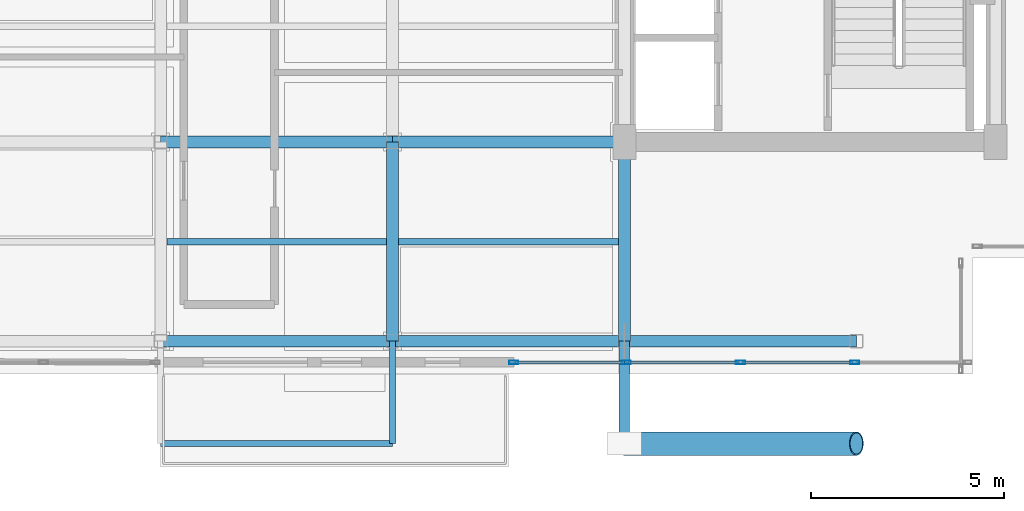
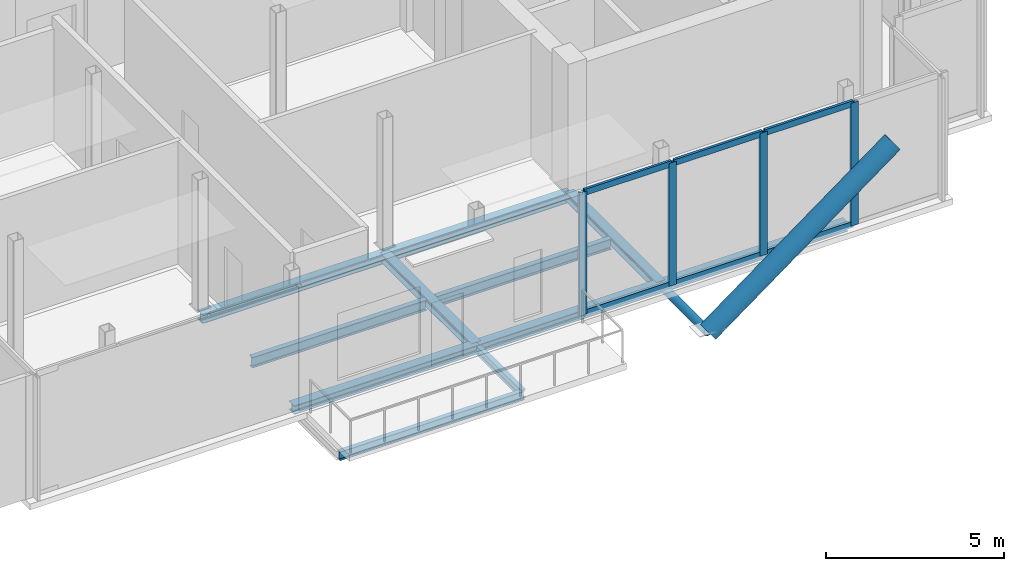
# One storey, part 3 of 16: 12 members, 11 beams, 1 element without a shape of its own.
"""IFC4 building model written with IfcOpenShell, lengths in metres."""

import ifcopenshell
import ifcopenshell.guid

model = None  # the IFC model being written
_history = None  # IfcOwnerHistory: only IFC2X3 demands one
_inside = {}  # id of a spatial element -> (the spatial element, [elements in it])
_under = {}  # id of a project, library or spatial element -> (it, [spatial elements below it])
_declared = {}  # id of a project -> (the project, [libraries it declares])
_typed = {}  # id of a type object -> (the type object, [elements of that type])
_made_of = {}  # id of a material, layer set ... -> (it, [elements and type objects made of it])


def new_model(schema):
    """Start an empty IFC model of exactly this schema.

    Asked for "IFC4X3", IfcOpenShell would pick the latest addendum, in which some entities
    have other attributes; the version numbers below select the first issue.
    IFC2X3 requires an IfcOwnerHistory on every rooted entity: one is made here for all.
    """
    global model, _history
    if schema == "IFC4X3":
        model = ifcopenshell.file(schema_version=(4, 3, 0, 0))
    else:
        model = ifcopenshell.file(schema=schema)
    _inside.clear()
    _under.clear()
    _declared.clear()
    _typed.clear()
    _made_of.clear()
    _history = None
    if model.schema == "IFC2X3":
        org = make("IfcOrganization", Name="unknown")
        user = make(
            "IfcPersonAndOrganization",
            ThePerson=make("IfcPerson", FamilyName="unknown"),
            TheOrganization=org,
        )
        app = make(
            "IfcApplication",
            ApplicationDeveloper=org,
            Version="unknown",
            ApplicationFullName="unknown",
            ApplicationIdentifier="unknown",
        )
        _history = make(
            "IfcOwnerHistory",
            OwningUser=user,
            OwningApplication=app,
            ChangeAction="ADDED",
            CreationDate=0,
        )
    return model


def make(cls, **values):
    """One entity of the class cls with the attributes given. An attribute that is None is left unset."""
    return model.create_entity(
        cls, **{name: value for name, value in values.items() if value is not None}
    )


def rooted(cls, **values):
    """An entity with a GlobalId (a new one), such as an element, a storey or a relation."""
    return make(cls, GlobalId=ifcopenshell.guid.new(), OwnerHistory=_history, **values)


def si_unit(unit_type, name, prefix=None):
    """IfcSIUnit, for example si_unit("LENGTHUNIT", "METRE", prefix="MILLI")."""
    return make("IfcSIUnit", UnitType=unit_type, Prefix=prefix, Name=name)


def assignment(units):
    """IfcUnitAssignment: the units of a project."""
    return None if units is None else make("IfcUnitAssignment", Units=units)


def point(xyz):
    """IfcCartesianPoint."""
    return None if xyz is None else make("IfcCartesianPoint", Coordinates=xyz)


def direction(xyz):
    """IfcDirection."""
    return None if xyz is None else make("IfcDirection", DirectionRatios=xyz)


def frame(location, z_axis=None, x_axis=None):
    """IfcAxis2Placement3D, a coordinate frame: its origin and axes. An axis left out is left unset."""
    return make(
        "IfcAxis2Placement3D",
        Location=point(location),
        Axis=direction(z_axis),
        RefDirection=direction(x_axis),
    )


def frame_2d(location, x_axis=None):
    """IfcAxis2Placement2D, a coordinate frame in the plane: its origin and x axis."""
    return make(
        "IfcAxis2Placement2D", Location=point(location), RefDirection=direction(x_axis)
    )


def origin():
    """The frame at (0, 0, 0) with its axes left unset."""
    return frame((0.0, 0.0, 0.0))


def origin_2d():
    """The frame at (0, 0) in the plane with its x axis left unset."""
    return frame_2d((0.0, 0.0))


def place(relative_to, where):
    """IfcLocalPlacement: puts the frame where relative to a parent placement (None: the world)."""
    return make(
        "IfcLocalPlacement", PlacementRelTo=relative_to, RelativePlacement=where
    )


def context(
    kind, dimensions, precision=None, world=None, true_north=None, identifier=None
):
    """IfcGeometricRepresentationContext, for example the 3D "Model" context."""
    return make(
        "IfcGeometricRepresentationContext",
        ContextIdentifier=identifier,
        ContextType=kind,
        CoordinateSpaceDimension=dimensions,
        Precision=precision,
        WorldCoordinateSystem=world,
        TrueNorth=true_north,
    )


def subcontext(parent, identifier, kind, view, scale=None):
    """IfcGeometricRepresentationSubContext, for example "Body" below "Model"."""
    return make(
        "IfcGeometricRepresentationSubContext",
        ContextIdentifier=identifier,
        ContextType=kind,
        ParentContext=parent,
        TargetScale=scale,
        TargetView=view,
    )


def project(units=None, contexts=None):
    """IfcProject with its units and contexts."""
    return rooted(
        "IfcProject",
        Name="project",
        RepresentationContexts=contexts,
        UnitsInContext=assignment(units),
    )


def spatial(cls, under=None, at=None, **own):
    """A site, building, storey or space (cls), placed at a placement, below another one or the project."""
    s = rooted(cls, ObjectPlacement=at, **own)
    if under is not None:
        _under.setdefault(under.id(), (under, []))[1].append(s)
    return s


def profile(cls, at=None, kind="AREA", **sizes):
    """A parametric profile (cls). Its sizes go by their IFC names, for example OverallWidth=200.0."""
    return make(cls, ProfileType=kind, Position=at, **sizes)


def hollow_rectangle(**sizes):
    """IfcRectangleHollowProfileDef."""
    return profile("IfcRectangleHollowProfileDef", **sizes)


def hollow_circle(**sizes):
    """IfcCircleHollowProfileDef."""
    return profile("IfcCircleHollowProfileDef", **sizes)


def i_section(**sizes):
    """IfcIShapeProfileDef."""
    return profile("IfcIShapeProfileDef", **sizes)


def extrude(swept, where, along, depth):
    """IfcExtrudedAreaSolid: the profile swept, set in the frame where, extruded along a direction by depth."""
    return make(
        "IfcExtrudedAreaSolid",
        SweptArea=swept,
        Position=where,
        ExtrudedDirection=direction(along),
        Depth=depth,
    )


def shape(context_of_items, identifier, shape_type, items):
    """IfcShapeRepresentation: the items that make up one representation, for example the "Body"."""
    return make(
        "IfcShapeRepresentation",
        ContextOfItems=context_of_items,
        RepresentationIdentifier=identifier,
        RepresentationType=shape_type,
        Items=items,
    )


def material(Name=None, Category=None):
    """IfcMaterial."""
    return make("IfcMaterial", Name=Name, Category=Category)


def layer(
    of_material, thickness, ventilated=None, Name=None, Category=None, Priority=None
):
    """IfcMaterialLayer: one layer of a wall or slab, of a material (None: an air gap)."""
    return make(
        "IfcMaterialLayer",
        Material=of_material,
        LayerThickness=thickness,
        IsVentilated=ventilated,
        Name=Name,
        Category=Category,
        Priority=Priority,
    )


def layer_set(layers, Name=None):
    """IfcMaterialLayerSet."""
    return make("IfcMaterialLayerSet", MaterialLayers=layers, LayerSetName=Name)


def material_profile(
    of_material, cross_section, Name=None, Category=None, Priority=None
):
    """IfcMaterialProfile: a cross section and its material."""
    return make(
        "IfcMaterialProfile",
        Name=Name,
        Material=of_material,
        Profile=cross_section,
        Priority=Priority,
        Category=Category,
    )


def profile_set(profiles, Name=None, composite=None):
    """IfcMaterialProfileSet."""
    return make(
        "IfcMaterialProfileSet",
        Name=Name,
        MaterialProfiles=profiles,
        CompositeProfile=composite,
    )


def made_of(thing, what):
    """Note that an element or type object is made of a material, layer set ...; save() writes the relation."""
    if what is not None:
        _made_of.setdefault(what.id(), (what, []))[1].append(thing)
    return thing


def type_object(cls, material=None, **own):
    """A type object (cls), such as IfcWallType, which elements share."""
    return made_of(rooted(cls, **own), material)


def element(
    cls,
    number,
    at=None,
    inside=None,
    cuts=None,
    type_object=None,
    material=None,
    context=None,
    identifier="Body",
    shape_type=None,
    held_by="IfcProductDefinitionShape",
    body=None,
    shapes=None,
    **own,
):
    """One element of the class cls, such as IfcWall. Its Tag is "e" and its number.

    at: its placement. inside: the storey or other place that contains it. cuts: it is an
    opening in that element (IfcRelVoidsElement). A single representation is given by context,
    identifier, shape_type and body (its items); several are given by shapes. held_by: the class
    of the entity that holds the representations. save() writes the other relations.
    """
    e = rooted(cls, Tag="e%d" % number, ObjectPlacement=at, **own)
    if body is not None:
        shapes = [shape(context, identifier, shape_type, body)]
    if shapes is not None:
        e.Representation = make(held_by, Representations=shapes)
    if inside is not None:
        _inside.setdefault(inside.id(), (inside, []))[1].append(e)
    if cuts is not None:
        rooted(
            "IfcRelVoidsElement", RelatingBuildingElement=cuts, RelatedOpeningElement=e
        )
    if type_object is not None:
        _typed.setdefault(type_object.id(), (type_object, []))[1].append(e)
    return made_of(e, material)


def aggregate(whole, parts):
    """IfcRelAggregates: a whole, such as a stair, and the parts it consists of."""
    return rooted("IfcRelAggregates", RelatingObject=whole, RelatedObjects=parts)


def save(model, path):
    """Write the relations noted so far, then the file.

    IfcRelAggregates (storeys below a building ...), IfcRelContainedInSpatialStructure (elements
    in a storey), IfcRelDefinesByType, IfcRelAssociatesMaterial and IfcRelDeclares: one each for
    every whole, place, type object, material and project.
    """
    for whole, parts in _under.values():
        aggregate(whole, parts)
    for where, things in _inside.values():
        rooted(
            "IfcRelContainedInSpatialStructure",
            RelatedElements=things,
            RelatingStructure=where,
        )
    for kind, things in _typed.values():
        rooted("IfcRelDefinesByType", RelatedObjects=things, RelatingType=kind)
    for what, things in _made_of.values():
        rooted("IfcRelAssociatesMaterial", RelatedObjects=things, RelatingMaterial=what)
    for by, libraries in _declared.values():
        rooted("IfcRelDeclares", RelatingContext=by, RelatedDefinitions=libraries)
    model.write(path)


model = new_model("IFC4")

# Units and contexts
model_context = context("Model", 3, precision=1e-05, world=origin(), true_north=direction((0.0, 1.0)))
body_context = subcontext(model_context, "Body", "Model", "MODEL_VIEW")
ifc_project = project(units=[si_unit("LENGTHUNIT", "METRE"), si_unit("AREAUNIT", "SQUARE_METRE"), si_unit("VOLUMEUNIT", "CUBIC_METRE"), si_unit("PLANEANGLEUNIT", "RADIAN"), si_unit("MASSUNIT", "GRAM", prefix="KILO"), si_unit("THERMODYNAMICTEMPERATUREUNIT", "KELVIN"), si_unit("POWERUNIT", "WATT")], contexts=[model_context])

# Site, building, storey
site_placement = place(None, origin())
site = spatial("IfcSite", under=ifc_project, at=site_placement, CompositionType="ELEMENT")
building_placement = place(site_placement, origin())
building = spatial("IfcBuilding", under=site, at=building_placement, Name="Svarakhadi Broadcast Tower", CompositionType="ELEMENT")
storey_placement = place(building_placement, frame((0.0, 0.0, 296.39990234375)))
storey = spatial("IfcBuildingStorey", under=building, at=storey_placement, Name="L75", CompositionType="ELEMENT", Elevation=296.39990234375)

# Beams
ifc_material_1 = material(Name="Steel S355J2 (IS 2062 E350C)", Category="steel")
ifc_material_profile_1 = material_profile(ifc_material_1, i_section(OverallWidth=0.169921875, OverallDepth=0.360107421875, WebThickness=0.008056640625, FlangeThickness=0.0126953125, FilletRadius=0.01806640625, at=origin_2d()), Name="NPB 360x170x57")
ifc_profile_set_1 = profile_set([ifc_material_profile_1], Name="Steel S355J2 (IS 2062 E350C)")
beam_type_1 = type_object("IfcBeamType", Name="Beam_NPB360", PredefinedType="BEAM", material=ifc_profile_set_1)
for number, where, z_axis, x_axis, name in (
    (1, (12.159912109375, 3.425048828125, -0.3798828125), (1.0, 0.0, 0.0), (0.0, 1.0, 0.0), "L75 Secondary Composite Beam SB007"),
    (2, (18.159912109375, 3.425048828125, -0.3798828125), (1.0, 0.0, 0.0), (0.0, 1.0, 0.0), "L75 Secondary Composite Beam SB010"),
):
    element("IfcBeam", number, at=place(storey_placement, frame(where, z_axis=z_axis, x_axis=x_axis)), inside=storey, type_object=beam_type_1, Name=name, PredefinedType="BEAM", context=body_context, shape_type="SweptSolid", body=[
        extrude(i_section(OverallWidth=0.169921875, OverallDepth=0.360107421875, WebThickness=0.008056640625, FlangeThickness=0.0126953125, FilletRadius=0.01806640625, at=origin_2d()), origin(), (0.0, 0.0, 1.0), 5.68017578125),
    ])

# Curtain wall, members
ifc_material_2 = material(Name="Anodised Bronze Aluminium AA 6063-T6", Category="aluminium")
ifc_layer = layer(ifc_material_2, 0.239990234375)
ifc_layer_set = layer_set([ifc_layer], Name="Anodised Bronze Aluminium AA 6063-T6")
curtain_wall_type = type_object("IfcCurtainWallType", Name="CW_Sys_06", PredefinedType="NOTDEFINED", material=ifc_layer_set)
curtain_wall_placement = place(storey_placement, origin())
curtain_wall = element("IfcCurtainWall", 3, at=curtain_wall_placement, inside=storey, type_object=curtain_wall_type, Name="L75 South Curtain Wall 16", PredefinedType="NOTDEFINED")
ifc_material_profile_2 = material_profile(ifc_material_2, hollow_rectangle(XDim=0.090087890625, YDim=0.239990234375, WallThickness=0.006103515625, at=origin_2d()), Name="ALU MULLION 240x90x6")
ifc_profile_set_2 = profile_set([ifc_material_profile_2], Name="Anodised Bronze Aluminium AA 6063-T6")
member_type_1 = type_object("IfcMemberType", Name="CW_Sys_06_Mul", PredefinedType="MULLION", material=ifc_profile_set_2)
member_1_placement = place(storey_placement, frame((29.955078125, 0.300048828125, 0.0), z_axis=(0.0, 0.0, 1.0), x_axis=(0.0, -1.0, 0.0)))
member_1 = element("IfcMember", 4, at=member_1_placement, type_object=member_type_1, Name="CW-06 mullion 2", PredefinedType="MULLION", context=body_context, shape_type="SweptSolid", body=[
    extrude(hollow_rectangle(XDim=0.090087890625, YDim=0.239990234375, WallThickness=0.006103515625, at=origin_2d()), origin(), (0.0, 0.0, 1.0), 4.22509765625),
])
member_2_placement = place(storey_placement, frame((27.0, 0.300048828125, 0.0), z_axis=(0.0, 0.0, 1.0), x_axis=(0.0, -1.0, 0.0)))
member_2 = element("IfcMember", 5, at=member_2_placement, type_object=member_type_1, Name="CW-06 mullion 3", PredefinedType="MULLION", context=body_context, shape_type="SweptSolid", body=[
    extrude(hollow_rectangle(XDim=0.090087890625, YDim=0.239990234375, WallThickness=0.006103515625, at=origin_2d()), origin(), (0.0, 0.0, 1.0), 4.22509765625),
])
member_3_placement = place(storey_placement, frame((24.044921875, 0.300048828125, 0.0), z_axis=(0.0, 0.0, 1.0), x_axis=(0.0, -1.0, 0.0)))
member_3 = element("IfcMember", 6, at=member_3_placement, type_object=member_type_1, Name="CW-06 mullion 4", PredefinedType="MULLION", context=body_context, shape_type="SweptSolid", body=[
    extrude(hollow_rectangle(XDim=0.090087890625, YDim=0.239990234375, WallThickness=0.006103515625, at=origin_2d()), origin(), (0.0, 0.0, 1.0), 4.22509765625),
])
member_4_placement = place(storey_placement, frame((21.135009765625, 0.300048828125, 0.0), z_axis=(0.0, 0.0, 1.0), x_axis=(0.0, -1.0, 0.0)))
member_4 = element("IfcMember", 7, at=member_4_placement, type_object=member_type_1, Name="CW-06 mullion 5", PredefinedType="MULLION", context=body_context, shape_type="SweptSolid", body=[
    extrude(hollow_rectangle(XDim=0.090087890625, YDim=0.239990234375, WallThickness=0.006103515625, at=origin_2d()), origin(), (0.0, 0.0, 1.0), 4.22509765625),
])
ifc_material_profile_3 = material_profile(ifc_material_2, hollow_rectangle(XDim=0.080078125, YDim=0.2099609375, WallThickness=0.0048828125, at=origin_2d()), Name="ALU TRANSOM 210x80x5")
ifc_profile_set_3 = profile_set([ifc_material_profile_3], Name="Anodised Bronze Aluminium AA 6063-T6")
member_type_2 = type_object("IfcMemberType", Name="CW_Sys_06_Trn", PredefinedType="USERDEFINED", material=ifc_profile_set_3)
member_5_placement = place(storey_placement, frame((29.909912109375, 0.300048828125, 0.0400390625), z_axis=(-1.0, 0.0, 0.0), x_axis=(0.0, -1.0, 0.0)))
member_5 = element("IfcMember", 8, at=member_5_placement, type_object=member_type_2, Name="CW-06 transom 2.1", ObjectType="TRANSOM", PredefinedType="USERDEFINED", context=body_context, shape_type="SweptSolid", body=[
    extrude(hollow_rectangle(XDim=0.080078125, YDim=0.2099609375, WallThickness=0.0048828125, at=origin_2d()), origin(), (0.0, 0.0, 1.0), 2.864990234375),
])
member_6_placement = place(storey_placement, frame((29.909912109375, 0.300048828125, 4.18505859375), z_axis=(-1.0, 0.0, 0.0), x_axis=(0.0, -1.0, 0.0)))
member_6 = element("IfcMember", 9, at=member_6_placement, type_object=member_type_2, Name="CW-06 transom 2.2", ObjectType="TRANSOM", PredefinedType="USERDEFINED", context=body_context, shape_type="SweptSolid", body=[
    extrude(hollow_rectangle(XDim=0.080078125, YDim=0.2099609375, WallThickness=0.0048828125, at=origin_2d()), origin(), (0.0, 0.0, 1.0), 2.864990234375),
])
member_7_placement = place(storey_placement, frame((26.955078125, 0.300048828125, 0.0400390625), z_axis=(-1.0, 0.0, 0.0), x_axis=(0.0, -1.0, 0.0)))
member_7 = element("IfcMember", 10, at=member_7_placement, type_object=member_type_2, Name="CW-06 transom 3.1", ObjectType="TRANSOM", PredefinedType="USERDEFINED", context=body_context, shape_type="SweptSolid", body=[
    extrude(hollow_rectangle(XDim=0.080078125, YDim=0.2099609375, WallThickness=0.0048828125, at=origin_2d()), origin(), (0.0, 0.0, 1.0), 2.864990234375),
])
member_8_placement = place(storey_placement, frame((26.955078125, 0.300048828125, 4.18505859375), z_axis=(-1.0, 0.0, 0.0), x_axis=(0.0, -1.0, 0.0)))
member_8 = element("IfcMember", 11, at=member_8_placement, type_object=member_type_2, Name="CW-06 transom 3.2", ObjectType="TRANSOM", PredefinedType="USERDEFINED", context=body_context, shape_type="SweptSolid", body=[
    extrude(hollow_rectangle(XDim=0.080078125, YDim=0.2099609375, WallThickness=0.0048828125, at=origin_2d()), origin(), (0.0, 0.0, 1.0), 2.864990234375),
])
member_9_placement = place(storey_placement, frame((24.0, 0.300048828125, 0.0400390625), z_axis=(-1.0, 0.0, 0.0), x_axis=(0.0, -1.0, 0.0)))
member_9 = element("IfcMember", 12, at=member_9_placement, type_object=member_type_2, Name="CW-06 transom 4.1", ObjectType="TRANSOM", PredefinedType="USERDEFINED", context=body_context, shape_type="SweptSolid", body=[
    extrude(hollow_rectangle(XDim=0.080078125, YDim=0.2099609375, WallThickness=0.0048828125, at=origin_2d()), origin(), (0.0, 0.0, 1.0), 2.820068359375),
])
member_10_placement = place(storey_placement, frame((24.0, 0.300048828125, 4.18505859375), z_axis=(-1.0, 0.0, 0.0), x_axis=(0.0, -1.0, 0.0)))
member_10 = element("IfcMember", 13, at=member_10_placement, type_object=member_type_2, Name="CW-06 transom 4.2", ObjectType="TRANSOM", PredefinedType="USERDEFINED", context=body_context, shape_type="SweptSolid", body=[
    extrude(hollow_rectangle(XDim=0.080078125, YDim=0.2099609375, WallThickness=0.0048828125, at=origin_2d()), origin(), (0.0, 0.0, 1.0), 2.820068359375),
])
aggregate(curtain_wall, [member_1, member_2, member_3, member_4, member_5, member_6, member_7, member_8, member_9, member_10])

# Members
ifc_material_3 = material(Name="Steel S460ML (IS 2062 E450BR)", Category="steel")
ifc_material_profile_4 = material_profile(ifc_material_3, hollow_circle(Radius=0.304931640625, WallThickness=0.030029296875, at=origin_2d()), Name="CHS 610x30")
ifc_profile_set_4 = profile_set([ifc_material_profile_4], Name="Steel S460ML (IS 2062 E450BR)")
member_type_3 = type_object("IfcMemberType", Name="Exo_Brace_CHS610", PredefinedType="BRACE", material=ifc_profile_set_4)
member_11_placement = place(storey_placement, frame((24.0, -1.800048828125, -0.33642578125), z_axis=(0.804799780129, 0.0, 0.593546387323), x_axis=(0.0, 1.0, 0.0)))
element("IfcMember", 14, at=member_11_placement, inside=storey, type_object=member_type_3, Name="L75 Exposed Bronze Exoskeleton Diagonal S01", PredefinedType="BRACE", context=body_context, shape_type="SweptSolid", body=[
    extrude(hollow_circle(Radius=0.304931640625, WallThickness=0.030029296875, at=origin_2d()), origin(), (0.0, 0.0, 1.0), 7.455322265625),
])
ifc_material_profile_5 = material_profile(ifc_material_3, hollow_circle(Radius=0.136474609375, WallThickness=0.012451171875, at=origin_2d()), Name="CHS 273x12.5")
ifc_profile_set_5 = profile_set([ifc_material_profile_5], Name="Steel S460ML (IS 2062 E450BR)")
member_type_4 = type_object("IfcMemberType", Name="Exo_Radial_Strut_Z3", PredefinedType="STRUT", material=ifc_profile_set_5)
member_12_placement = place(storey_placement, frame((24.0, -1.800048828125, -0.33642578125), z_axis=(0.0, 1.0, 0.0), x_axis=(-1.0, 0.0, 0.0)))
element("IfcMember", 15, at=member_12_placement, inside=storey, type_object=member_type_4, Name="L75 Exoskeleton Radial Tie Strut S01", PredefinedType="STRUT", context=body_context, shape_type="SweptSolid", body=[
    extrude(hollow_circle(Radius=0.136474609375, WallThickness=0.012451171875, at=origin_2d()), origin(), (0.0, 0.0, 1.0), 2.650146484375),
])

# Beams
ifc_material_profile_6 = material_profile(ifc_material_1, i_section(OverallWidth=0.300048828125, OverallDepth=0.300048828125, WebThickness=0.010986328125, FlangeThickness=0.01904296875, FilletRadius=0.027099609375, at=origin_2d()), Name="WPB 300x300x117")
ifc_profile_set_6 = profile_set([ifc_material_profile_6], Name="Steel S355J2 (IS 2062 E350C)")
beam_type_2 = type_object("IfcBeamType", Name="Girder_WPB300", PredefinedType="USERDEFINED", material=ifc_profile_set_6)
for number, where, z_axis, x_axis, name in (
    (16, (12.0, 0.85009765625, -0.349853515625), (1.0, 0.0, 0.0), (0.0, 1.0, 0.0), "L75 Primary E-W Girder G005"),
    (17, (18.0, 0.85009765625, -0.349853515625), (1.0, 0.0, 0.0), (0.0, 1.0, 0.0), "L75 Primary E-W Girder G006"),
    (18, (24.0, 0.85009765625, -0.349853515625), (1.0, 0.0, 0.0), (0.0, 1.0, 0.0), "L75 Primary E-W Girder G007"),
    (19, (12.0, 6.0, -0.349853515625), (1.0, 0.0, 0.0), (0.0, 1.0, 0.0), "L75 Primary E-W Girder G010"),
    (20, (18.0, 6.0, -0.349853515625), (1.0, 0.0, 0.0), (0.0, 1.0, 0.0), "L75 Primary E-W Girder G011"),
):
    element("IfcBeam", number, at=place(storey_placement, frame(where, z_axis=z_axis, x_axis=x_axis)), inside=storey, type_object=beam_type_2, Name=name, ObjectType="GIRDER", PredefinedType="USERDEFINED", context=body_context, shape_type="SweptSolid", body=[
        extrude(i_section(OverallWidth=0.300048828125, OverallDepth=0.300048828125, WebThickness=0.010986328125, FlangeThickness=0.01904296875, FilletRadius=0.027099609375, at=origin_2d()), origin(), (0.0, 0.0, 1.0), 6.0),
    ])
for number, where, z_axis, x_axis, name in (
    (21, (18.0, 0.85009765625, -0.349853515625), (0.0, 1.0, 0.0), (-1.0, 0.0, 0.0), "L75 Primary N-S Girder G036"),
    (22, (24.0, 0.85009765625, -0.349853515625), (0.0, 1.0, 0.0), (-1.0, 0.0, 0.0), "L75 Primary N-S Girder G040"),
):
    element("IfcBeam", number, at=place(storey_placement, frame(where, z_axis=z_axis, x_axis=x_axis)), inside=storey, type_object=beam_type_2, Name=name, ObjectType="GIRDER", PredefinedType="USERDEFINED", context=body_context, shape_type="SweptSolid", body=[
        extrude(i_section(OverallWidth=0.300048828125, OverallDepth=0.300048828125, WebThickness=0.010986328125, FlangeThickness=0.01904296875, FilletRadius=0.027099609375, at=origin_2d()), origin(), (0.0, 0.0, 1.0), 5.14990234375),
    ])
ifc_material_profile_7 = material_profile(ifc_material_1, i_section(OverallWidth=0.14990234375, OverallDepth=0.300048828125, WebThickness=0.007080078125, FlangeThickness=0.0107421875, FilletRadius=0.014892578125, at=origin_2d()), Name="NPB 300x150x37")
ifc_profile_set_7 = profile_set([ifc_material_profile_7], Name="Steel S355J2 (IS 2062 E350C)")
beam_type_3 = type_object("IfcBeamType", Name="Spandrel_NPB300", PredefinedType="SPANDREL", material=ifc_profile_set_7)
beam_1_placement = place(storey_placement, frame((18.0, 0.85009765625, -0.375), z_axis=(0.0, -1.0, 0.0), x_axis=(1.0, 0.0, 0.0)))
element("IfcBeam", 23, at=beam_1_placement, inside=storey, type_object=beam_type_3, Name="L75 Balcony Cantilever Bracket 1B", PredefinedType="SPANDREL", context=body_context, shape_type="SweptSolid", body=[
    extrude(i_section(OverallWidth=0.14990234375, OverallDepth=0.300048828125, WebThickness=0.007080078125, FlangeThickness=0.0107421875, FilletRadius=0.014892578125, at=origin_2d()), origin(), (0.0, 0.0, 1.0), 2.650146484375),
])
beam_2_placement = place(storey_placement, frame((12.0, -1.800048828125, -0.375), z_axis=(1.0, 0.0, 0.0), x_axis=(0.0, 1.0, 0.0)))
element("IfcBeam", 24, at=beam_2_placement, inside=storey, type_object=beam_type_3, Name="L75 Balcony Outer Spandrel 1F", PredefinedType="SPANDREL", context=body_context, shape_type="SweptSolid", body=[
    extrude(i_section(OverallWidth=0.14990234375, OverallDepth=0.300048828125, WebThickness=0.007080078125, FlangeThickness=0.0107421875, FilletRadius=0.014892578125, at=origin_2d()), origin(), (0.0, 0.0, 1.0), 6.0),
])

save(model, "model.ifc")
